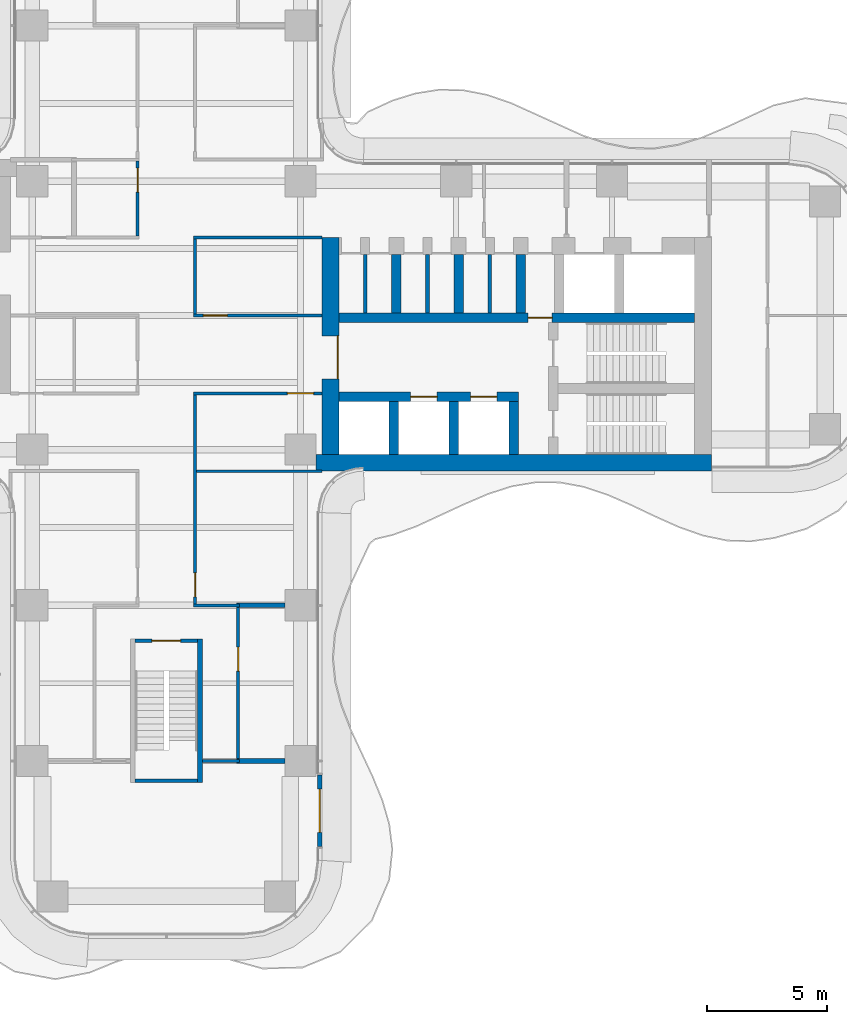
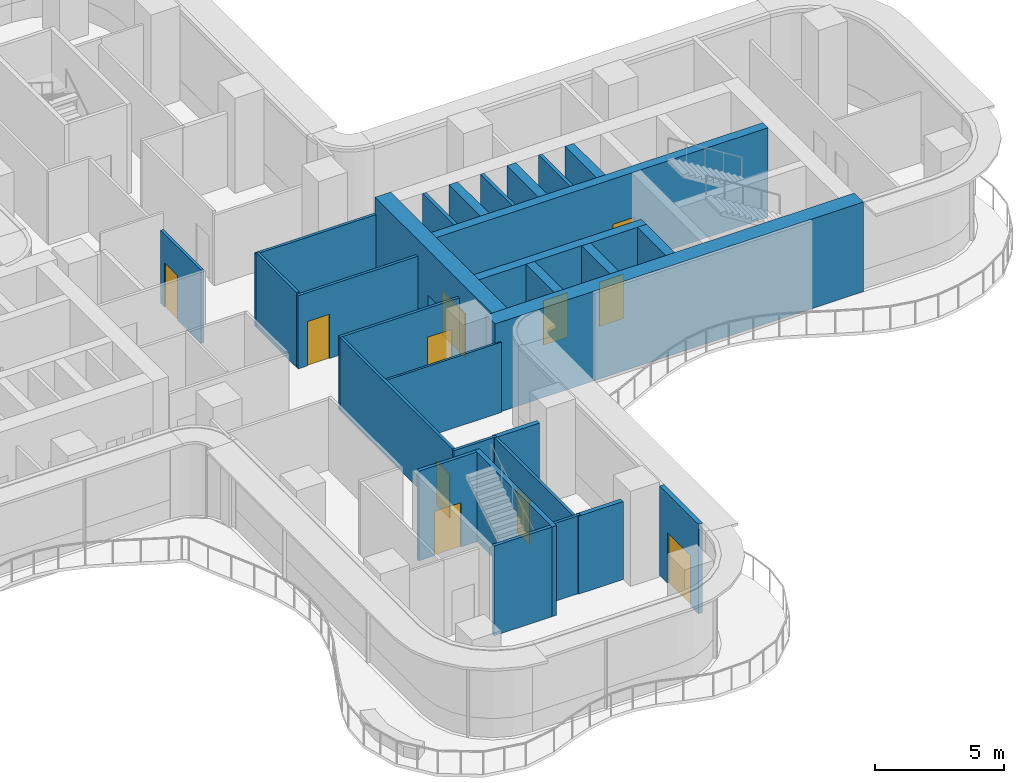
# One storey, part 17 of 21: 29 walls, 11 doors, 11 openings.
"""IFC4 building model written with IfcOpenShell, lengths in metres."""

from ifc_helpers import new_model, si_unit, direction, frame, frame_2d, origin, place, context, subcontext, project, spatial, rectangle, extrude, source, transform, mapped, material, layer, layer_set, type_object, element, fill, save


model = new_model("IFC4")

# Units and contexts
model_context = context("Model", 3, precision=1e-05, world=origin(), true_north=direction((0.0, 1.0)))
body_context = subcontext(model_context, "Body", "Model", "MODEL_VIEW")
ifc_project = project(units=[si_unit("LENGTHUNIT", "METRE"), si_unit("AREAUNIT", "SQUARE_METRE"), si_unit("VOLUMEUNIT", "CUBIC_METRE"), si_unit("PLANEANGLEUNIT", "RADIAN"), si_unit("MASSUNIT", "GRAM", prefix="KILO")], contexts=[model_context])

# Site, building, storey
site_placement = place(None, origin())
site = spatial("IfcSite", under=ifc_project, at=site_placement, CompositionType="ELEMENT")
building_placement = place(site_placement, origin())
building = spatial("IfcBuilding", under=site, at=building_placement, Name="Trellis Farm Tower", CompositionType="ELEMENT")
storey_placement = place(building_placement, frame((0.0, 0.0, 138.0)))
storey = spatial("IfcBuildingStorey", under=building, at=storey_placement, Name="L29", CompositionType="ELEMENT", Elevation=138.0)

# Wall, opening, door
ifc_material_1 = material(Name="Concrete C70/85", Category="concrete")
ifc_layer_1 = layer(ifc_material_1, 0.699951171875)
ifc_layer_set_1 = layer_set([ifc_layer_1], Name="CORE OUTER WALL 700 CONCRETE C70/85")
wall_type_1 = type_object("IfcWallType", Name="CORE OUTER WALL 700 CONCRETE C70/85", PredefinedType="SHEAR", material=ifc_layer_set_1)
shared_shape_1 = source(origin(), body_context, "Body", "SweptSolid", [
    extrude(rectangle(XDim=9.050048828125, YDim=0.699951171875, at=frame_2d((4.52490234375, 0.0))), origin(), (0.0, 0.0, 1.0), 4.25),
])
wall_1_placement = place(storey_placement, frame((6.85009765625, -5.800048828125, 0.0), z_axis=(0.0, 0.0, 1.0), x_axis=(0.0, 1.0, 0.0)))
wall_1 = element("IfcWall", 1, at=wall_1_placement, inside=storey, type_object=wall_type_1, Name="Core wall", PredefinedType="SHEAR", context=body_context, shape_type="MappedRepresentation", body=[
    mapped(shared_shape_1, transform((0.0, 0.0, 0.0))),
])
shared_shape_2 = source(origin(), body_context, "Body", "SweptSolid", [
    extrude(rectangle(XDim=1.800048828125, YDim=2.10009765625, at=frame_2d((0.89990234375, 1.050048828125))), frame((0.0, 0.360107421875, 0.0), z_axis=(0.0, -1.0, 0.0), x_axis=(1.0, 0.0, 0.0)), (0.0, 0.0, 1.0), 0.72021484375),
])
opening_1_placement = place(wall_1_placement, frame((3.14990234375, 0.0, 0.0)))
opening_1 = element("IfcOpeningElement", 2, at=opening_1_placement, cuts=wall_1, Name="Opening DC1", PredefinedType="OPENING", context=body_context, shape_type="MappedRepresentation", body=[
    mapped(shared_shape_2, transform((0.0, 0.0, 0.0))),
])
ifc_material_2 = material(Name="Steel", Category="steel")
door_type_1 = type_object("IfcDoorType", Name="CORE FIRE DOOR DOUBLE 1800 X 2100", OperationType="DOUBLE_DOOR_SINGLE_SWING", PredefinedType="DOOR", material=ifc_material_2)
shared_shape_3 = source(origin(), body_context, "Body", "SweptSolid", [
    extrude(rectangle(XDim=1.800048828125, YDim=2.10009765625, at=frame_2d((0.89990234375, 1.050048828125))), frame((0.0, -0.27490234375, 0.0), z_axis=(0.0, -1.0, 0.0), x_axis=(1.0, 0.0, 0.0)), (0.0, 0.0, 1.0), 0.050048828125),
])
door_1_placement = place(opening_1_placement, origin())
door_1 = element("IfcDoor", 3, at=door_1_placement, inside=storey, type_object=door_type_1, Name="Core door", OperationType="DOUBLE_DOOR_SINGLE_SWING", OverallHeight=2.10009765625, OverallWidth=1.800048828125, PredefinedType="DOOR", context=body_context, shape_type="MappedRepresentation", body=[
    mapped(shared_shape_3, transform((0.0, 0.0, 0.0))),
])
fill(opening_1, door_1)

# Walls
ifc_layer_2 = layer(ifc_material_1, 0.39990234375)
ifc_layer_set_2 = layer_set([ifc_layer_2], Name="CORE INNER WALL 400 CONCRETE C70/85")
wall_type_2 = type_object("IfcWallType", Name="CORE INNER WALL 400 CONCRETE C70/85", PredefinedType="SHEAR", material=ifc_layer_set_2)
shared_shape_4 = source(origin(), body_context, "Body", "SweptSolid", [
    extrude(rectangle(XDim=2.199951171875, YDim=0.39990234375, at=frame_2d((1.10009765625, 0.0))), origin(), (0.0, 0.0, 1.0), 4.25),
])
for number, where, z_axis, x_axis, name in (
    (4, (9.5, -5.800048828125, 0.0), (0.0, 0.0, 1.0), (0.0, 1.0, 0.0), "Core wall"),
    (5, (12.0, -5.800048828125, 0.0), (0.0, 0.0, 1.0), (0.0, 1.0, 0.0), "Core wall"),
    (6, (14.5, -5.800048828125, 0.0), (0.0, 0.0, 1.0), (0.0, 1.0, 0.0), "Core wall"),
):
    element("IfcWall", number, at=place(storey_placement, frame(where, z_axis=z_axis, x_axis=x_axis)), inside=storey, type_object=wall_type_2, Name=name, PredefinedType="SHEAR", context=body_context, shape_type="MappedRepresentation", body=[
        mapped(shared_shape_4, transform((0.0, 0.0, 0.0))),
    ])
shared_shape_5 = source(origin(), body_context, "Body", "SweptSolid", [
    extrude(rectangle(XDim=2.449951171875, YDim=0.39990234375, at=frame_2d((1.22509765625, 0.0))), origin(), (0.0, 0.0, 1.0), 4.25),
])
for number, where, z_axis, x_axis, name in (
    (7, (9.60009765625, 0.10009765625, 0.0), (0.0, 0.0, 1.0), (0.0, 1.0, 0.0), "Core wall"),
    (8, (12.199951171875, 0.10009765625, 0.0), (0.0, 0.0, 1.0), (0.0, 1.0, 0.0), "Core wall"),
    (9, (14.800048828125, 0.10009765625, 0.0), (0.0, 0.0, 1.0), (0.0, 1.0, 0.0), "Core wall"),
):
    element("IfcWall", number, at=place(storey_placement, frame(where, z_axis=z_axis, x_axis=x_axis)), inside=storey, type_object=wall_type_2, Name=name, PredefinedType="SHEAR", context=body_context, shape_type="MappedRepresentation", body=[
        mapped(shared_shape_5, transform((0.0, 0.0, 0.0))),
    ])

# Wall, openings, doors
shared_shape_6 = source(origin(), body_context, "Body", "SweptSolid", [
    extrude(rectangle(XDim=7.5, YDim=0.39990234375, at=frame_2d((3.75, 0.0))), origin(), (0.0, 0.0, 1.0), 4.25),
])
wall_2_placement = place(storey_placement, frame((7.199951171875, -3.39990234375, 0.0), z_axis=(0.0, 0.0, 1.0), x_axis=(1.0, 0.0, 0.0)))
wall_2 = element("IfcWall", 10, at=wall_2_placement, inside=storey, type_object=wall_type_2, Name="Core wall", PredefinedType="SHEAR", context=body_context, shape_type="MappedRepresentation", body=[
    mapped(shared_shape_6, transform((0.0, 0.0, 0.0))),
])
shared_shape_7 = source(origin(), body_context, "Body", "SweptSolid", [
    extrude(rectangle(XDim=1.10009765625, YDim=2.10009765625, at=frame_2d((0.550048828125, 1.050048828125))), frame((0.0, 0.2099609375, 0.0), z_axis=(0.0, -1.0, 0.0), x_axis=(1.0, 0.0, 0.0)), (0.0, 0.0, 1.0), 0.419921875),
])
opening_2_placement = place(wall_2_placement, frame((3.0, 0.0, 0.0)))
opening_2 = element("IfcOpeningElement", 11, at=opening_2_placement, cuts=wall_2, Name="Opening LD2", PredefinedType="OPENING", context=body_context, shape_type="MappedRepresentation", body=[
    mapped(shared_shape_7, transform((0.0, 0.0, 0.0))),
])
opening_3_placement = place(wall_2_placement, frame((5.5, 0.0, 0.0)))
opening_3 = element("IfcOpeningElement", 12, at=opening_3_placement, cuts=wall_2, Name="Opening LD3", PredefinedType="OPENING", context=body_context, shape_type="MappedRepresentation", body=[
    mapped(shared_shape_7, transform((0.0, 0.0, 0.0))),
])
ifc_material_3 = material(Name="Stainless steel", Category="steel")
door_type_2 = type_object("IfcDoorType", Name="LIFT LANDING DOOR 1100 X 2100", OperationType="DOUBLE_DOOR_SLIDING", PredefinedType="DOOR", material=ifc_material_3)
shared_shape_8 = source(origin(), body_context, "Body", "SweptSolid", [
    extrude(rectangle(XDim=1.10009765625, YDim=2.10009765625, at=frame_2d((0.550048828125, 1.050048828125))), frame((0.0, 0.02490234375, 0.0), z_axis=(0.0, -1.0, 0.0), x_axis=(1.0, 0.0, 0.0)), (0.0, 0.0, 1.0), 0.050048828125),
])
door_2_placement = place(opening_2_placement, origin())
door_2 = element("IfcDoor", 13, at=door_2_placement, inside=storey, type_object=door_type_2, Name="Lift landing door", OperationType="DOUBLE_DOOR_SLIDING", OverallHeight=2.10009765625, OverallWidth=1.10009765625, PredefinedType="DOOR", context=body_context, shape_type="MappedRepresentation", body=[
    mapped(shared_shape_8, transform((0.0, 0.0, 0.0))),
])
fill(opening_2, door_2)
door_3_placement = place(opening_3_placement, origin())
door_3 = element("IfcDoor", 14, at=door_3_placement, inside=storey, type_object=door_type_2, Name="Lift landing door", OperationType="DOUBLE_DOOR_SLIDING", OverallHeight=2.10009765625, OverallWidth=1.10009765625, PredefinedType="DOOR", context=body_context, shape_type="MappedRepresentation", body=[
    mapped(shared_shape_8, transform((0.0, 0.0, 0.0))),
])
fill(opening_3, door_3)

# Wall, opening, door
shared_shape_9 = source(origin(), body_context, "Body", "SweptSolid", [
    extrude(rectangle(XDim=14.85009765625, YDim=0.39990234375, at=frame_2d((7.425048828125, 0.0))), origin(), (0.0, 0.0, 1.0), 4.25),
])
wall_3_placement = place(storey_placement, frame((7.199951171875, -0.10009765625, 0.0), z_axis=(0.0, 0.0, 1.0), x_axis=(1.0, 0.0, 0.0)))
wall_3 = element("IfcWall", 15, at=wall_3_placement, inside=storey, type_object=wall_type_2, Name="Core wall", PredefinedType="SHEAR", context=body_context, shape_type="MappedRepresentation", body=[
    mapped(shared_shape_9, transform((0.0, 0.0, 0.0))),
])
shared_shape_10 = source(origin(), body_context, "Body", "SweptSolid", [
    extrude(rectangle(XDim=1.0, YDim=2.10009765625, at=frame_2d((0.5, 1.050048828125))), frame((0.0, 0.2099609375, 0.0), z_axis=(0.0, -1.0, 0.0), x_axis=(1.0, 0.0, 0.0)), (0.0, 0.0, 1.0), 0.419921875),
])
opening_4_placement = place(wall_3_placement, frame((7.89990234375, 0.0, 0.0)))
opening_4 = element("IfcOpeningElement", 16, at=opening_4_placement, cuts=wall_3, Name="Opening DC5", PredefinedType="OPENING", context=body_context, shape_type="MappedRepresentation", body=[
    mapped(shared_shape_10, transform((0.0, 0.0, 0.0))),
])
door_type_3 = type_object("IfcDoorType", Name="CORE FIRE DOOR 1000 X 2100", OperationType="NOTDEFINED", PredefinedType="DOOR", material=ifc_material_2)
shared_shape_11 = source(origin(), body_context, "Body", "SweptSolid", [
    extrude(rectangle(XDim=1.0, YDim=2.10009765625, at=frame_2d((0.5, 1.050048828125))), frame((0.0, 0.02490234375, 0.0), z_axis=(0.0, -1.0, 0.0), x_axis=(1.0, 0.0, 0.0)), (0.0, 0.0, 1.0), 0.050048828125),
])
door_4_placement = place(opening_4_placement, origin())
door_4 = element("IfcDoor", 17, at=door_4_placement, inside=storey, type_object=door_type_3, Name="Core door", OperationType="SINGLE_SWING_RIGHT", OverallHeight=2.10009765625, OverallWidth=1.0, PredefinedType="DOOR", context=body_context, shape_type="MappedRepresentation", body=[
    mapped(shared_shape_11, transform((0.0, 0.0, 0.0))),
])
fill(opening_4, door_4)

# Walls
ifc_material_4 = material(Name="Masonry blockwork", Category="masonry")
ifc_layer_3 = layer(ifc_material_4, 0.14990234375)
ifc_layer_set_3 = layer_set([ifc_layer_3], Name="CORE PARTITION 150 BLOCKWORK")
wall_type_3 = type_object("IfcWallType", Name="CORE PARTITION 150 BLOCKWORK", PredefinedType="PARTITIONING", material=ifc_layer_set_3)
shared_shape_12 = source(origin(), body_context, "Body", "SweptSolid", [
    extrude(rectangle(XDim=2.449951171875, YDim=0.14990234375, at=frame_2d((1.22509765625, 0.0))), origin(), (0.0, 0.0, 1.0), 4.25),
])
for number, where, z_axis, x_axis, name in (
    (18, (8.300048828125, 0.10009765625, 0.0), (0.0, 0.0, 1.0), (0.0, 1.0, 0.0), "Core room partition"),
    (19, (10.89990234375, 0.10009765625, 0.0), (0.0, 0.0, 1.0), (0.0, 1.0, 0.0), "Core room partition"),
    (20, (13.5, 0.10009765625, 0.0), (0.0, 0.0, 1.0), (0.0, 1.0, 0.0), "Core room partition"),
):
    element("IfcWall", number, at=place(storey_placement, frame(where, z_axis=z_axis, x_axis=x_axis)), inside=storey, type_object=wall_type_3, Name=name, PredefinedType="PARTITIONING", context=body_context, shape_type="MappedRepresentation", body=[
        mapped(shared_shape_12, transform((0.0, 0.0, 0.0))),
    ])
shared_shape_13 = source(origin(), body_context, "Body", "SweptSolid", [
    extrude(rectangle(XDim=16.5, YDim=0.699951171875, at=frame_2d((8.25, 0.0))), origin(), (0.0, 0.0, 1.0), 4.25),
])
wall_4_placement = place(storey_placement, frame((6.25, -6.14990234375, 0.0), z_axis=(0.0, 0.0, 1.0), x_axis=(1.0, 0.0, 0.0)))
element("IfcWall", 21, at=wall_4_placement, inside=storey, type_object=wall_type_1, Name="Core wall", PredefinedType="SHEAR", context=body_context, shape_type="MappedRepresentation", body=[
    mapped(shared_shape_13, transform((0.0, 0.0, 0.0))),
])
ifc_layer_4 = layer(ifc_material_1, 0.199951171875)
ifc_layer_set_4 = layer_set([ifc_layer_4], Name="CORE STAIR ENCLOSURE WALL 200 CONCRETE C70/85")
wall_type_4 = type_object("IfcWallType", Name="CORE STAIR ENCLOSURE WALL 200 CONCRETE C70/85", PredefinedType="SHEAR", material=ifc_layer_set_4)
shared_shape_14 = source(origin(), body_context, "Body", "SweptSolid", [
    extrude(rectangle(XDim=6.0, YDim=0.199951171875, at=frame_2d((3.0, 0.0))), origin(), (0.0, 0.0, 1.0), 4.25),
])
wall_5_placement = place(storey_placement, frame((1.39990234375, -13.5, 0.0), z_axis=(0.0, 0.0, 1.0), x_axis=(0.0, -1.0, 0.0)))
element("IfcWall", 22, at=wall_5_placement, inside=storey, type_object=wall_type_4, Name="Stair enclosure wall", PredefinedType="SHEAR", context=body_context, shape_type="MappedRepresentation", body=[
    mapped(shared_shape_14, transform((0.0, 0.0, 0.0))),
])

# Wall, opening, door
ifc_layer_5 = layer(ifc_material_1, 0.14990234375)
ifc_layer_set_5 = layer_set([ifc_layer_5], Name="CORE STAIR ENCLOSURE WALL 150 CONCRETE C70/85")
wall_type_5 = type_object("IfcWallType", Name="CORE STAIR ENCLOSURE WALL 150 CONCRETE C70/85", PredefinedType="SHEAR", material=ifc_layer_set_5)
shared_shape_15 = source(origin(), body_context, "Body", "SweptSolid", [
    extrude(rectangle(XDim=2.60009765625, YDim=0.14990234375, at=frame_2d((1.300048828125, 0.0))), origin(), (0.0, 0.0, 1.0), 4.25),
])
wall_6_placement = place(storey_placement, frame((1.300048828125, -13.574951171875, 0.0), z_axis=(0.0, 0.0, 1.0), x_axis=(-1.0, 0.0, 0.0)))
wall_6 = element("IfcWall", 23, at=wall_6_placement, inside=storey, type_object=wall_type_5, Name="Stair enclosure wall", PredefinedType="SHEAR", context=body_context, shape_type="MappedRepresentation", body=[
    mapped(shared_shape_15, transform((0.0, 0.0, 0.0))),
])
shared_shape_16 = source(origin(), body_context, "Body", "SweptSolid", [
    extrude(rectangle(XDim=1.199951171875, YDim=2.10009765625, at=frame_2d((0.60009765625, 1.050048828125))), frame((0.0, 0.0849609375, 0.0), z_axis=(0.0, -1.0, 0.0), x_axis=(1.0, 0.0, 0.0)), (0.0, 0.0, 1.0), 0.169921875),
])
opening_5_placement = place(wall_6_placement, frame((0.699951171875, 0.0, 0.0)))
opening_5 = element("IfcOpeningElement", 24, at=opening_5_placement, cuts=wall_6, Name="Opening DC174", PredefinedType="OPENING", context=body_context, shape_type="MappedRepresentation", body=[
    mapped(shared_shape_16, transform((0.0, 0.0, 0.0))),
])
door_type_4 = type_object("IfcDoorType", Name="CORE FIRE DOOR 1200 X 2100", OperationType="NOTDEFINED", PredefinedType="DOOR", material=ifc_material_2)
shared_shape_17 = source(origin(), body_context, "Body", "SweptSolid", [
    extrude(rectangle(XDim=1.199951171875, YDim=2.10009765625, at=frame_2d((0.60009765625, 1.050048828125))), frame((0.0, 0.02490234375, 0.0), z_axis=(0.0, -1.0, 0.0), x_axis=(1.0, 0.0, 0.0)), (0.0, 0.0, 1.0), 0.050048828125),
])
door_5_placement = place(opening_5_placement, origin())
door_5 = element("IfcDoor", 25, at=door_5_placement, inside=storey, type_object=door_type_4, Name="Core door", OperationType="SINGLE_SWING_RIGHT", OverallHeight=2.10009765625, OverallWidth=1.199951171875, PredefinedType="DOOR", context=body_context, shape_type="MappedRepresentation", body=[
    mapped(shared_shape_17, transform((0.0, 0.0, 0.0))),
])
fill(opening_5, door_5)

# Wall
wall_7_placement = place(storey_placement, frame((1.300048828125, -19.425048828125, 0.0), z_axis=(0.0, 0.0, 1.0), x_axis=(-1.0, 0.0, 0.0)))
element("IfcWall", 26, at=wall_7_placement, inside=storey, type_object=wall_type_5, Name="Stair enclosure wall", PredefinedType="SHEAR", context=body_context, shape_type="MappedRepresentation", body=[
    mapped(shared_shape_15, transform((0.0, 0.0, 0.0))),
])

# Wall, opening, door
ifc_material_5 = material(Name="Sandstone faced insulated wall", Category="masonry")
ifc_layer_6 = layer(ifc_material_5, 0.199951171875)
ifc_layer_set_6 = layer_set([ifc_layer_6], Name="EXTERNAL INFILL WALL 200")
wall_type_6 = type_object("IfcWallType", Name="EXTERNAL INFILL WALL 200", PredefinedType="SOLIDWALL", material=ifc_layer_set_6)
shared_shape_18 = source(origin(), body_context, "Body", "SweptSolid", [
    extrude(rectangle(XDim=3.0, YDim=0.199951171875, at=frame_2d((1.5, 0.0))), origin(), (0.0, 0.0, 1.0), 4.25),
])
wall_8_placement = place(storey_placement, frame((6.39990234375, -22.175048828125, 0.0), z_axis=(0.0, 0.0, 1.0), x_axis=(0.0, 1.0, 0.0)))
wall_8 = element("IfcWall", 27, at=wall_8_placement, inside=storey, type_object=wall_type_6, Name="EW1 01", PredefinedType="SOLIDWALL", context=body_context, shape_type="MappedRepresentation", body=[
    mapped(shared_shape_18, transform((0.0, 0.0, 0.0))),
])
shared_shape_19 = source(origin(), body_context, "Body", "SweptSolid", [
    extrude(rectangle(XDim=1.800048828125, YDim=2.39990234375, at=frame_2d((0.89990234375, 1.199951171875))), frame((0.0, 0.110107421875, 0.0), z_axis=(0.0, -1.0, 0.0), x_axis=(1.0, 0.0, 0.0)), (0.0, 0.0, 1.0), 0.22021484375),
])
opening_6_placement = place(wall_8_placement, frame((0.60009765625, 0.0, 0.0)))
opening_6 = element("IfcOpeningElement", 28, at=opening_6_placement, cuts=wall_8, Name="Opening ED1", PredefinedType="OPENING", context=body_context, shape_type="MappedRepresentation", body=[
    mapped(shared_shape_19, transform((0.0, 0.0, 0.0))),
])
ifc_material_6 = material(Name="Aluminium framed glazed door", Category="aluminium")
door_type_5 = type_object("IfcDoorType", Name="BALCONY DOOR 1800x2400", OperationType="DOUBLE_DOOR_SINGLE_SWING", PredefinedType="DOOR", material=ifc_material_6)
shared_shape_20 = source(origin(), body_context, "Body", "SweptSolid", [
    extrude(rectangle(XDim=1.800048828125, YDim=2.39990234375, at=frame_2d((0.89990234375, 1.199951171875))), frame((0.0, 0.02490234375, 0.0), z_axis=(0.0, -1.0, 0.0), x_axis=(1.0, 0.0, 0.0)), (0.0, 0.0, 1.0), 0.050048828125),
])
door_6_placement = place(opening_6_placement, origin())
door_6 = element("IfcDoor", 29, at=door_6_placement, inside=storey, type_object=door_type_5, Name="Balcony door", OperationType="DOUBLE_DOOR_SINGLE_SWING", OverallHeight=2.39990234375, OverallWidth=1.800048828125, PredefinedType="DOOR", context=body_context, shape_type="MappedRepresentation", body=[
    mapped(shared_shape_20, transform((0.0, 0.0, 0.0))),
])
fill(opening_6, door_6)

# Walls
ifc_material_7 = material(Name="Plasterboard on steel studs, mineral wool", Category="steel")
ifc_layer_7 = layer(ifc_material_7, 0.125)
ifc_layer_set_7 = layer_set([ifc_layer_7], Name="PARTITION 125 STUD EI 60")
wall_type_7 = type_object("IfcWallType", Name="PARTITION 125 STUD EI 60", PredefinedType="PARTITIONING", material=ifc_layer_set_7)
shared_shape_21 = source(origin(), body_context, "Body", "SweptSolid", [
    extrude(rectangle(XDim=3.125, YDim=0.125, at=frame_2d((1.5625, 0.0))), origin(), (0.0, 0.0, 1.0), 3.54638671875),
])
wall_9_placement = place(storey_placement, frame((1.199951171875, 3.1875, 0.0), z_axis=(0.0, 0.0, 1.0), x_axis=(0.0, -1.0, 0.0)))
element("IfcWall", 30, at=wall_9_placement, inside=storey, type_object=wall_type_7, Name="Partition PW1", PredefinedType="PARTITIONING", context=body_context, shape_type="MappedRepresentation", body=[
    mapped(shared_shape_21, transform((0.0, 0.0, 0.0))),
])
shared_shape_22 = source(origin(), body_context, "Body", "SweptSolid", [
    extrude(rectangle(XDim=1.925048828125, YDim=0.125, at=frame_2d((0.96240234375, 0.0))), origin(), (0.0, 0.0, 1.0), 3.4677734375),
])
wall_10_placement = place(storey_placement, frame((1.137451171875, -12.10009765625, 0.0), z_axis=(0.0, 0.0, 1.0), x_axis=(1.0, 0.0, 0.0)))
element("IfcWall", 31, at=wall_10_placement, inside=storey, type_object=wall_type_7, Name="Partition PW1", PredefinedType="PARTITIONING", context=body_context, shape_type="MappedRepresentation", body=[
    mapped(shared_shape_22, transform((0.0, 0.0, 0.0))),
])

# Wall, opening, door
shared_shape_23 = source(origin(), body_context, "Body", "SweptSolid", [
    extrude(rectangle(XDim=5.362548828125, YDim=0.125, at=frame_2d((2.68115234375, 0.0))), origin(), (0.0, 0.0, 1.0), 3.4677734375),
])
wall_11_placement = place(storey_placement, frame((6.5, -3.25, 0.0), z_axis=(0.0, 0.0, 1.0), x_axis=(-1.0, 0.0, 0.0)))
wall_11 = element("IfcWall", 32, at=wall_11_placement, inside=storey, type_object=wall_type_7, Name="Partition PW1", PredefinedType="PARTITIONING", context=body_context, shape_type="MappedRepresentation", body=[
    mapped(shared_shape_23, transform((0.0, 0.0, 0.0))),
])
shared_shape_24 = source(origin(), body_context, "Body", "SweptSolid", [
    extrude(rectangle(XDim=1.10009765625, YDim=2.10009765625, at=frame_2d((0.550048828125, 1.050048828125))), frame((0.0, 0.072509765625, 0.0), z_axis=(0.0, -1.0, 0.0), x_axis=(1.0, 0.0, 0.0)), (0.0, 0.0, 1.0), 0.14501953125),
])
opening_7_placement = place(wall_11_placement, frame((0.35009765625, 0.0, 0.0)))
opening_7 = element("IfcOpeningElement", 33, at=opening_7_placement, cuts=wall_11, Name="Opening D501", PredefinedType="OPENING", context=body_context, shape_type="MappedRepresentation", body=[
    mapped(shared_shape_24, transform((0.0, 0.0, 0.0))),
])
ifc_material_8 = material(Name="Fire-rated timber door leaf in a hollow metal frame", Category="wood")
door_type_6 = type_object("IfcDoorType", Name="DOOR 1100x2100 FD30S", OperationType="NOTDEFINED", PredefinedType="DOOR", material=ifc_material_8)
door_7_placement = place(opening_7_placement, origin())
door_7 = element("IfcDoor", 34, at=door_7_placement, inside=storey, type_object=door_type_6, Name="Door D501", OperationType="SINGLE_SWING_LEFT", OverallHeight=2.10009765625, OverallWidth=1.10009765625, PredefinedType="DOOR", context=body_context, shape_type="MappedRepresentation", body=[
    mapped(shared_shape_8, transform((0.0, 0.0, 0.0))),
])
fill(opening_7, door_7)

wall_12_placement = place(storey_placement, frame((6.5, 0.0, 0.0), z_axis=(0.0, 0.0, 1.0), x_axis=(-1.0, 0.0, 0.0)))
wall_12 = element("IfcWall", 35, at=wall_12_placement, inside=storey, type_object=wall_type_7, Name="Partition PW1", PredefinedType="PARTITIONING", context=body_context, shape_type="MappedRepresentation", body=[
    mapped(shared_shape_23, transform((0.0, 0.0, 0.0))),
])
shared_shape_25 = source(origin(), body_context, "Body", "SweptSolid", [
    extrude(rectangle(XDim=1.0, YDim=2.10009765625, at=frame_2d((0.5, 1.050048828125))), frame((0.0, 0.072509765625, 0.0), z_axis=(0.0, -1.0, 0.0), x_axis=(1.0, 0.0, 0.0)), (0.0, 0.0, 1.0), 0.14501953125),
])
opening_8_placement = place(wall_12_placement, frame((3.949951171875, 0.0, 0.0)))
opening_8 = element("IfcOpeningElement", 36, at=opening_8_placement, cuts=wall_12, Name="Opening D108", PredefinedType="OPENING", context=body_context, shape_type="MappedRepresentation", body=[
    mapped(shared_shape_25, transform((0.0, 0.0, 0.0))),
])
door_type_7 = type_object("IfcDoorType", Name="DOOR 1000x2100 FD30S", OperationType="NOTDEFINED", PredefinedType="DOOR", material=ifc_material_8)
door_8_placement = place(opening_8_placement, origin())
door_8 = element("IfcDoor", 37, at=door_8_placement, inside=storey, type_object=door_type_7, Name="Door D108", OperationType="SINGLE_SWING_RIGHT", OverallHeight=2.10009765625, OverallWidth=1.0, PredefinedType="DOOR", context=body_context, shape_type="MappedRepresentation", body=[
    mapped(shared_shape_11, transform((0.0, 0.0, 0.0))),
])
fill(opening_8, door_8)

# Wall
wall_13_placement = place(storey_placement, frame((1.137451171875, 3.25, 0.0), z_axis=(0.0, 0.0, 1.0), x_axis=(1.0, 0.0, 0.0)))
element("IfcWall", 38, at=wall_13_placement, inside=storey, type_object=wall_type_7, Name="Partition PW1", PredefinedType="PARTITIONING", context=body_context, shape_type="MappedRepresentation", body=[
    mapped(shared_shape_23, transform((0.0, 0.0, 0.0))),
])

# Wall, opening, door
shared_shape_26 = source(origin(), body_context, "Body", "SweptSolid", [
    extrude(rectangle(XDim=6.300048828125, YDim=0.125, at=frame_2d((3.14990234375, 0.0))), origin(), (0.0, 0.0, 1.0), 3.4677734375),
])
wall_14_placement = place(storey_placement, frame((3.0, -12.199951171875, 0.0), z_axis=(0.0, 0.0, 1.0), x_axis=(0.0, -1.0, 0.0)))
wall_14 = element("IfcWall", 39, at=wall_14_placement, inside=storey, type_object=wall_type_7, Name="Partition PW1", PredefinedType="PARTITIONING", context=body_context, shape_type="MappedRepresentation", body=[
    mapped(shared_shape_26, transform((0.0, 0.0, 0.0))),
])
opening_9_placement = place(wall_14_placement, frame((1.64990234375, 0.0, 0.0)))
opening_9 = element("IfcOpeningElement", 40, at=opening_9_placement, cuts=wall_14, Name="Opening D102", PredefinedType="OPENING", context=body_context, shape_type="MappedRepresentation", body=[
    mapped(shared_shape_25, transform((0.0, 0.0, 0.0))),
])
door_9_placement = place(opening_9_placement, origin())
door_9 = element("IfcDoor", 41, at=door_9_placement, inside=storey, type_object=door_type_7, Name="Door D102", OperationType="SINGLE_SWING_LEFT", OverallHeight=2.10009765625, OverallWidth=1.0, PredefinedType="DOOR", context=body_context, shape_type="MappedRepresentation", body=[
    mapped(shared_shape_11, transform((0.0, 0.0, 0.0))),
])
fill(opening_9, door_9)

shared_shape_27 = source(origin(), body_context, "Body", "SweptSolid", [
    extrude(rectangle(XDim=3.137451171875, YDim=0.125, at=frame_2d((1.56884765625, 0.0))), origin(), (0.0, 0.0, 1.0), 3.4677734375),
])
wall_15_placement = place(storey_placement, frame((-1.199951171875, 6.449951171875, 0.0), z_axis=(0.0, 0.0, 1.0), x_axis=(0.0, -1.0, 0.0)))
wall_15 = element("IfcWall", 42, at=wall_15_placement, inside=storey, type_object=wall_type_7, Name="Partition PW1", PredefinedType="PARTITIONING", context=body_context, shape_type="MappedRepresentation", body=[
    mapped(shared_shape_27, transform((0.0, 0.0, 0.0))),
])
opening_10_placement = place(wall_15_placement, frame((0.300048828125, 0.0, 0.0)))
opening_10 = element("IfcOpeningElement", 43, at=opening_10_placement, cuts=wall_15, Name="Opening D111", PredefinedType="OPENING", context=body_context, shape_type="MappedRepresentation", body=[
    mapped(shared_shape_25, transform((0.0, 0.0, 0.0))),
])
door_10_placement = place(opening_10_placement, origin())
door_10 = element("IfcDoor", 44, at=door_10_placement, inside=storey, type_object=door_type_7, Name="Door D111", OperationType="SINGLE_SWING_LEFT", OverallHeight=2.10009765625, OverallWidth=1.0, PredefinedType="DOOR", context=body_context, shape_type="MappedRepresentation", body=[
    mapped(shared_shape_11, transform((0.0, 0.0, 0.0))),
])
fill(opening_10, door_10)

shared_shape_28 = source(origin(), body_context, "Body", "SweptSolid", [
    extrude(rectangle(XDim=8.72509765625, YDim=0.125, at=frame_2d((4.362548828125, 0.0))), origin(), (0.0, 0.0, 1.0), 3.4677734375),
])
wall_16_placement = place(storey_placement, frame((1.199951171875, -3.3125, 0.0), z_axis=(0.0, 0.0, 1.0), x_axis=(0.0, -1.0, 0.0)))
wall_16 = element("IfcWall", 45, at=wall_16_placement, inside=storey, type_object=wall_type_7, Name="Partition PW1", PredefinedType="PARTITIONING", context=body_context, shape_type="MappedRepresentation", body=[
    mapped(shared_shape_28, transform((0.0, 0.0, 0.0))),
])
opening_11_placement = place(wall_16_placement, frame((7.4375, 0.0, 0.0)))
opening_11 = element("IfcOpeningElement", 46, at=opening_11_placement, cuts=wall_16, Name="Opening D103", PredefinedType="OPENING", context=body_context, shape_type="MappedRepresentation", body=[
    mapped(shared_shape_25, transform((0.0, 0.0, 0.0))),
])
door_11_placement = place(opening_11_placement, origin())
door_11 = element("IfcDoor", 47, at=door_11_placement, inside=storey, type_object=door_type_7, Name="Door D103", OperationType="SINGLE_SWING_RIGHT", OverallHeight=2.10009765625, OverallWidth=1.0, PredefinedType="DOOR", context=body_context, shape_type="MappedRepresentation", body=[
    mapped(shared_shape_11, transform((0.0, 0.0, 0.0))),
])
fill(opening_11, door_11)

# Walls
ifc_material_9 = material(Name="Plasterboard on steel studs", Category="steel")
ifc_layer_8 = layer(ifc_material_9, 0.10009765625)
ifc_layer_set_8 = layer_set([ifc_layer_8], Name="PARTITION 100 STUD EI 30")
wall_type_8 = type_object("IfcWallType", Name="PARTITION 100 STUD EI 30", PredefinedType="PARTITIONING", material=ifc_layer_set_8)
shared_shape_29 = source(origin(), body_context, "Body", "SweptSolid", [
    extrude(rectangle(XDim=5.237548828125, YDim=0.10009765625, at=frame_2d((2.61865234375, 0.0))), origin(), (0.0, 0.0, 1.0), 3.330078125),
])
wall_17_placement = place(storey_placement, frame((1.262451171875, -6.5, 0.0), z_axis=(0.0, 0.0, 1.0), x_axis=(1.0, 0.0, 0.0)))
element("IfcWall", 48, at=wall_17_placement, inside=storey, type_object=wall_type_8, Name="Partition PW2", PredefinedType="PARTITIONING", context=body_context, shape_type="MappedRepresentation", body=[
    mapped(shared_shape_29, transform((0.0, 0.0, 0.0))),
])
shared_shape_30 = source(origin(), body_context, "Body", "SweptSolid", [
    extrude(rectangle(XDim=1.5625, YDim=0.125, at=frame_2d((0.78125, 0.0))), origin(), (0.0, 0.0, 1.0), 3.697021484375),
])
wall_18_placement = place(storey_placement, frame((3.0625, -18.60009765625, 0.0), z_axis=(0.0, 0.0, 1.0), x_axis=(-1.0, 0.0, 0.0)))
element("IfcWall", 49, at=wall_18_placement, inside=storey, type_object=wall_type_7, Name="Partition PW1", PredefinedType="PARTITIONING", context=body_context, shape_type="MappedRepresentation", body=[
    mapped(shared_shape_30, transform((0.0, 0.0, 0.0))),
])
ifc_material_10 = material(Name="Lightweight blockwork, plastered", Category="masonry")
ifc_layer_9 = layer(ifc_material_10, 0.199951171875)
ifc_layer_set_9 = layer_set([ifc_layer_9], Name="BLOCK WALL 200 EI 120")
wall_type_9 = type_object("IfcWallType", Name="BLOCK WALL 200 EI 120", PredefinedType="PARTITIONING", material=ifc_layer_set_9)
shared_shape_31 = source(origin(), body_context, "Body", "SweptSolid", [
    extrude(rectangle(XDim=2.012451171875, YDim=0.199951171875, at=frame_2d((1.00634765625, 0.0))), origin(), (0.0, 0.0, 1.0), 3.697021484375),
])
wall_19_placement = place(storey_placement, frame((2.9375, -18.60009765625, 0.0), z_axis=(0.0, 0.0, 1.0), x_axis=(1.0, 0.0, 0.0)))
element("IfcWall", 50, at=wall_19_placement, inside=storey, type_object=wall_type_9, Name="Partition PW3", PredefinedType="PARTITIONING", context=body_context, shape_type="MappedRepresentation", body=[
    mapped(shared_shape_31, transform((0.0, 0.0, 0.0))),
])
shared_shape_32 = source(origin(), body_context, "Body", "SweptSolid", [
    extrude(rectangle(XDim=2.012451171875, YDim=0.199951171875, at=frame_2d((1.00634765625, 0.0))), origin(), (0.0, 0.0, 1.0), 3.4677734375),
])
wall_20_placement = place(storey_placement, frame((2.9375, -12.10009765625, 0.0), z_axis=(0.0, 0.0, 1.0), x_axis=(1.0, 0.0, 0.0)))
element("IfcWall", 51, at=wall_20_placement, inside=storey, type_object=wall_type_9, Name="Partition PW3", PredefinedType="PARTITIONING", context=body_context, shape_type="MappedRepresentation", body=[
    mapped(shared_shape_32, transform((0.0, 0.0, 0.0))),
])

save(model, "model.ifc")
